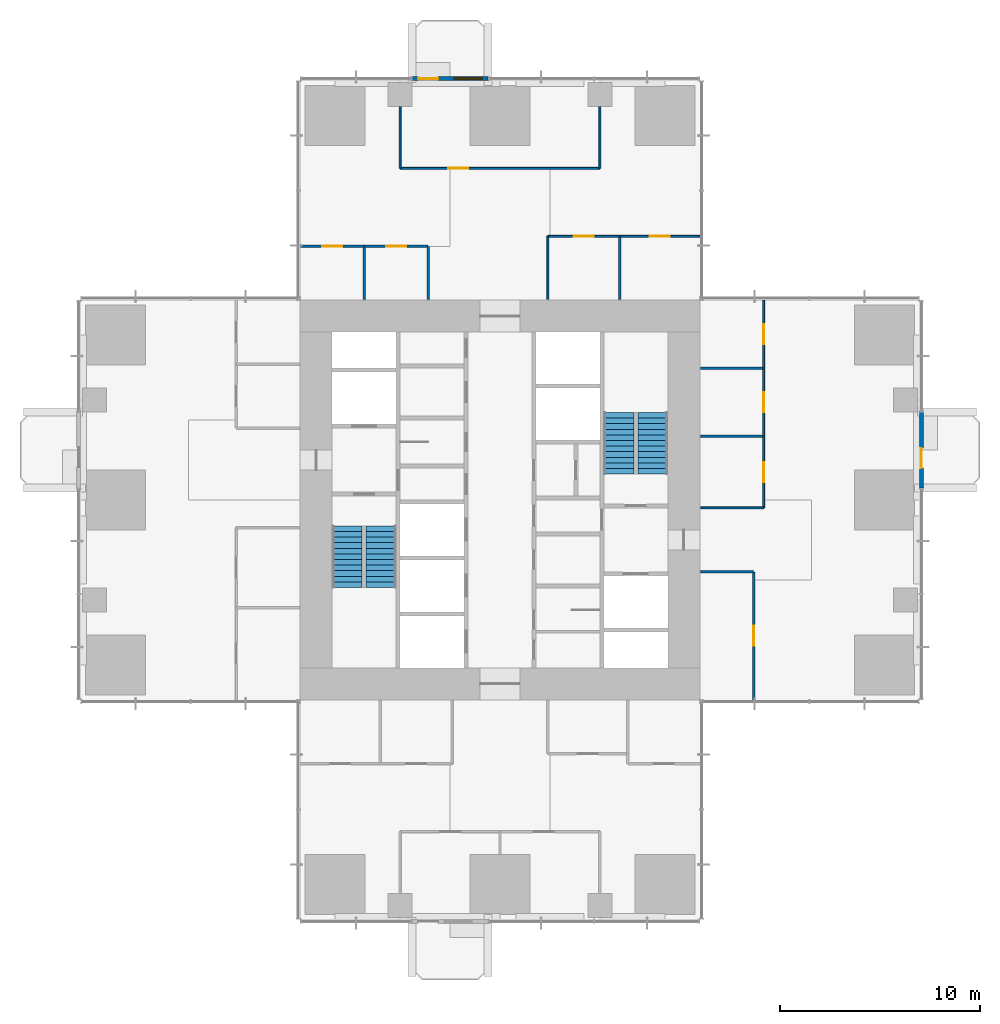
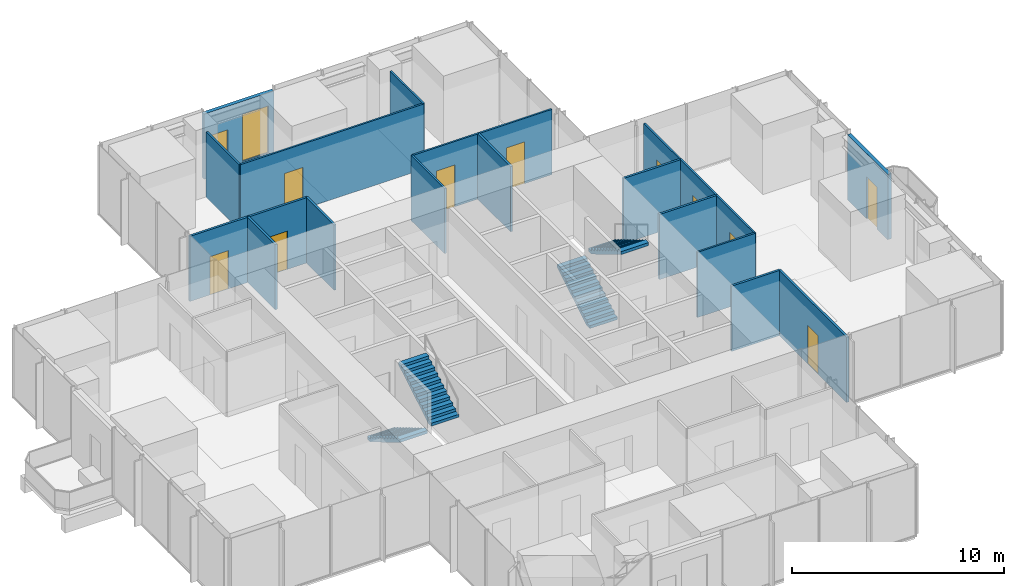
# One storey, part 10 of 13: 21 walls, 11 doors, 4 stair flights, 1 window, 12 openings, 2 elements without a shape of their own.
"""IFC4 building model written with IfcOpenShell, lengths in metres."""

import ifcopenshell
import ifcopenshell.guid

model = None  # the IFC model being written
_history = None  # IfcOwnerHistory: only IFC2X3 demands one
_inside = {}  # id of a spatial element -> (the spatial element, [elements in it])
_under = {}  # id of a project, library or spatial element -> (it, [spatial elements below it])
_declared = {}  # id of a project -> (the project, [libraries it declares])
_typed = {}  # id of a type object -> (the type object, [elements of that type])
_made_of = {}  # id of a material, layer set ... -> (it, [elements and type objects made of it])


def new_model(schema):
    """Start an empty IFC model of exactly this schema.

    Asked for "IFC4X3", IfcOpenShell would pick the latest addendum, in which some entities
    have other attributes; the version numbers below select the first issue.
    IFC2X3 requires an IfcOwnerHistory on every rooted entity: one is made here for all.
    """
    global model, _history
    if schema == "IFC4X3":
        model = ifcopenshell.file(schema_version=(4, 3, 0, 0))
    else:
        model = ifcopenshell.file(schema=schema)
    _inside.clear()
    _under.clear()
    _declared.clear()
    _typed.clear()
    _made_of.clear()
    _history = None
    if model.schema == "IFC2X3":
        org = make("IfcOrganization", Name="unknown")
        user = make(
            "IfcPersonAndOrganization",
            ThePerson=make("IfcPerson", FamilyName="unknown"),
            TheOrganization=org,
        )
        app = make(
            "IfcApplication",
            ApplicationDeveloper=org,
            Version="unknown",
            ApplicationFullName="unknown",
            ApplicationIdentifier="unknown",
        )
        _history = make(
            "IfcOwnerHistory",
            OwningUser=user,
            OwningApplication=app,
            ChangeAction="ADDED",
            CreationDate=0,
        )
    return model


def make(cls, **values):
    """One entity of the class cls with the attributes given. An attribute that is None is left unset."""
    return model.create_entity(
        cls, **{name: value for name, value in values.items() if value is not None}
    )


def rooted(cls, **values):
    """An entity with a GlobalId (a new one), such as an element, a storey or a relation."""
    return make(cls, GlobalId=ifcopenshell.guid.new(), OwnerHistory=_history, **values)


def si_unit(unit_type, name, prefix=None):
    """IfcSIUnit, for example si_unit("LENGTHUNIT", "METRE", prefix="MILLI")."""
    return make("IfcSIUnit", UnitType=unit_type, Prefix=prefix, Name=name)


def assignment(units):
    """IfcUnitAssignment: the units of a project."""
    return None if units is None else make("IfcUnitAssignment", Units=units)


def point(xyz):
    """IfcCartesianPoint."""
    return None if xyz is None else make("IfcCartesianPoint", Coordinates=xyz)


def direction(xyz):
    """IfcDirection."""
    return None if xyz is None else make("IfcDirection", DirectionRatios=xyz)


def frame(location, z_axis=None, x_axis=None):
    """IfcAxis2Placement3D, a coordinate frame: its origin and axes. An axis left out is left unset."""
    return make(
        "IfcAxis2Placement3D",
        Location=point(location),
        Axis=direction(z_axis),
        RefDirection=direction(x_axis),
    )


def frame_2d(location, x_axis=None):
    """IfcAxis2Placement2D, a coordinate frame in the plane: its origin and x axis."""
    return make(
        "IfcAxis2Placement2D", Location=point(location), RefDirection=direction(x_axis)
    )


def origin():
    """The frame at (0, 0, 0) with its axes left unset."""
    return frame((0.0, 0.0, 0.0))


def place(relative_to, where):
    """IfcLocalPlacement: puts the frame where relative to a parent placement (None: the world)."""
    return make(
        "IfcLocalPlacement", PlacementRelTo=relative_to, RelativePlacement=where
    )


def context(
    kind, dimensions, precision=None, world=None, true_north=None, identifier=None
):
    """IfcGeometricRepresentationContext, for example the 3D "Model" context."""
    return make(
        "IfcGeometricRepresentationContext",
        ContextIdentifier=identifier,
        ContextType=kind,
        CoordinateSpaceDimension=dimensions,
        Precision=precision,
        WorldCoordinateSystem=world,
        TrueNorth=true_north,
    )


def subcontext(parent, identifier, kind, view, scale=None):
    """IfcGeometricRepresentationSubContext, for example "Body" below "Model"."""
    return make(
        "IfcGeometricRepresentationSubContext",
        ContextIdentifier=identifier,
        ContextType=kind,
        ParentContext=parent,
        TargetScale=scale,
        TargetView=view,
    )


def project(units=None, contexts=None):
    """IfcProject with its units and contexts."""
    return rooted(
        "IfcProject",
        Name="project",
        RepresentationContexts=contexts,
        UnitsInContext=assignment(units),
    )


def spatial(cls, under=None, at=None, **own):
    """A site, building, storey or space (cls), placed at a placement, below another one or the project."""
    s = rooted(cls, ObjectPlacement=at, **own)
    if under is not None:
        _under.setdefault(under.id(), (under, []))[1].append(s)
    return s


def polyline(points):
    """IfcPolyline through the points."""
    return make("IfcPolyline", Points=[point(p) for p in points])


def profile(cls, at=None, kind="AREA", **sizes):
    """A parametric profile (cls). Its sizes go by their IFC names, for example OverallWidth=200.0."""
    return make(cls, ProfileType=kind, Position=at, **sizes)


def rectangle(**sizes):
    """IfcRectangleProfileDef."""
    return profile("IfcRectangleProfileDef", **sizes)


def outline(outer, holes=None, kind="AREA"):
    """IfcArbitraryClosedProfileDef: a profile drawn as a closed curve; with holes, ...WithVoids."""
    if holes is None:
        return make("IfcArbitraryClosedProfileDef", ProfileType=kind, OuterCurve=outer)
    return make(
        "IfcArbitraryProfileDefWithVoids",
        ProfileType=kind,
        OuterCurve=outer,
        InnerCurves=holes,
    )


def extrude(swept, where, along, depth):
    """IfcExtrudedAreaSolid: the profile swept, set in the frame where, extruded along a direction by depth."""
    return make(
        "IfcExtrudedAreaSolid",
        SweptArea=swept,
        Position=where,
        ExtrudedDirection=direction(along),
        Depth=depth,
    )


def shape(context_of_items, identifier, shape_type, items):
    """IfcShapeRepresentation: the items that make up one representation, for example the "Body"."""
    return make(
        "IfcShapeRepresentation",
        ContextOfItems=context_of_items,
        RepresentationIdentifier=identifier,
        RepresentationType=shape_type,
        Items=items,
    )


def material(Name=None, Category=None):
    """IfcMaterial."""
    return make("IfcMaterial", Name=Name, Category=Category)


def layer(
    of_material, thickness, ventilated=None, Name=None, Category=None, Priority=None
):
    """IfcMaterialLayer: one layer of a wall or slab, of a material (None: an air gap)."""
    return make(
        "IfcMaterialLayer",
        Material=of_material,
        LayerThickness=thickness,
        IsVentilated=ventilated,
        Name=Name,
        Category=Category,
        Priority=Priority,
    )


def layer_set(layers, Name=None):
    """IfcMaterialLayerSet."""
    return make("IfcMaterialLayerSet", MaterialLayers=layers, LayerSetName=Name)


def made_of(thing, what):
    """Note that an element or type object is made of a material, layer set ...; save() writes the relation."""
    if what is not None:
        _made_of.setdefault(what.id(), (what, []))[1].append(thing)
    return thing


def type_object(cls, material=None, **own):
    """A type object (cls), such as IfcWallType, which elements share."""
    return made_of(rooted(cls, **own), material)


def element(
    cls,
    number,
    at=None,
    inside=None,
    cuts=None,
    type_object=None,
    material=None,
    context=None,
    identifier="Body",
    shape_type=None,
    held_by="IfcProductDefinitionShape",
    body=None,
    shapes=None,
    **own,
):
    """One element of the class cls, such as IfcWall. Its Tag is "e" and its number.

    at: its placement. inside: the storey or other place that contains it. cuts: it is an
    opening in that element (IfcRelVoidsElement). A single representation is given by context,
    identifier, shape_type and body (its items); several are given by shapes. held_by: the class
    of the entity that holds the representations. save() writes the other relations.
    """
    e = rooted(cls, Tag="e%d" % number, ObjectPlacement=at, **own)
    if body is not None:
        shapes = [shape(context, identifier, shape_type, body)]
    if shapes is not None:
        e.Representation = make(held_by, Representations=shapes)
    if inside is not None:
        _inside.setdefault(inside.id(), (inside, []))[1].append(e)
    if cuts is not None:
        rooted(
            "IfcRelVoidsElement", RelatingBuildingElement=cuts, RelatedOpeningElement=e
        )
    if type_object is not None:
        _typed.setdefault(type_object.id(), (type_object, []))[1].append(e)
    return made_of(e, material)


def fill(opening, filler):
    """IfcRelFillsElement: the door or window that sits in an opening."""
    return rooted(
        "IfcRelFillsElement",
        RelatingOpeningElement=opening,
        RelatedBuildingElement=filler,
    )


def aggregate(whole, parts):
    """IfcRelAggregates: a whole, such as a stair, and the parts it consists of."""
    return rooted("IfcRelAggregates", RelatingObject=whole, RelatedObjects=parts)


def save(model, path):
    """Write the relations noted so far, then the file.

    IfcRelAggregates (storeys below a building ...), IfcRelContainedInSpatialStructure (elements
    in a storey), IfcRelDefinesByType, IfcRelAssociatesMaterial and IfcRelDeclares: one each for
    every whole, place, type object, material and project.
    """
    for whole, parts in _under.values():
        aggregate(whole, parts)
    for where, things in _inside.values():
        rooted(
            "IfcRelContainedInSpatialStructure",
            RelatedElements=things,
            RelatingStructure=where,
        )
    for kind, things in _typed.values():
        rooted("IfcRelDefinesByType", RelatedObjects=things, RelatingType=kind)
    for what, things in _made_of.values():
        rooted("IfcRelAssociatesMaterial", RelatedObjects=things, RelatingMaterial=what)
    for by, libraries in _declared.values():
        rooted("IfcRelDeclares", RelatingContext=by, RelatedDefinitions=libraries)
    model.write(path)


model = new_model("IFC4")

# Units and contexts
model_context = context("Model", 3, precision=1e-05, world=origin(), true_north=direction((0.0, 1.0)))
body_context = subcontext(model_context, "Body", "Model", "MODEL_VIEW")
ifc_project = project(units=[si_unit("LENGTHUNIT", "METRE"), si_unit("AREAUNIT", "SQUARE_METRE"), si_unit("VOLUMEUNIT", "CUBIC_METRE"), si_unit("PLANEANGLEUNIT", "RADIAN"), si_unit("MASSUNIT", "GRAM", prefix="KILO")], contexts=[model_context])

# Site, building, storey
site_placement = place(None, origin())
site = spatial("IfcSite", under=ifc_project, at=site_placement, CompositionType="ELEMENT")
building_placement = place(site_placement, origin())
building = spatial("IfcBuilding", under=site, at=building_placement, Name="Svetlomir Tower", CompositionType="ELEMENT")
storey_placement = place(building_placement, frame((0.0, 0.0, 124.5)))
storey = spatial("IfcBuildingStorey", under=building, at=storey_placement, Name="L29", CompositionType="ELEMENT", Elevation=124.5)

# Wall, opening, door
ifc_material_1 = material(Name="Bronze anodised aluminium glazed screen", Category="aluminium")
ifc_layer_1 = layer(ifc_material_1, 0.199951171875)
ifc_layer_set_1 = layer_set([ifc_layer_1], Name="Bronze anodised aluminium glazed screen")
wall_type_1 = type_object("IfcWallType", Name="BALCONY SCREEN WALL 200", PredefinedType="USERDEFINED", material=ifc_layer_set_1)
wall_1_placement = place(storey_placement, frame((42.10009765625, 21.60009765625, 0.0), z_axis=(0.0, 0.0, 1.0), x_axis=(0.0, 1.0, 0.0)))
wall_1 = element("IfcWall", 1, at=wall_1_placement, inside=storey, type_object=wall_type_1, Name="Balcony screen E", ObjectType="GLAZED SCREEN", PredefinedType="USERDEFINED", context=body_context, shape_type="SweptSolid", body=[
    extrude(rectangle(XDim=3.7998046875, YDim=0.199951171875, at=frame_2d((1.89990234375, 0.0))), origin(), (0.0, 0.0, 1.0), 3.75),
])
opening_1_placement = place(wall_1_placement, frame((1.0, 0.0, 0.0)))
opening_1 = element("IfcOpeningElement", 2, at=opening_1_placement, cuts=wall_1, Name="Opening BD", PredefinedType="OPENING", context=body_context, shape_type="SweptSolid", body=[
    extrude(rectangle(XDim=1.0, YDim=2.39990234375, at=frame_2d((0.5, 1.199951171875))), frame((0.0, 0.10986328125, 0.0), z_axis=(0.0, -1.0, 0.0), x_axis=(1.0, 0.0, 0.0)), (0.0, 0.0, 1.0), 0.219970703125),
])
ifc_material_2 = material(Name="Bronze anodised aluminium glazed door", Category="aluminium")
door_type_1 = type_object("IfcDoorType", Name="BALCONY DOOR BD 1000x2400", OperationType="SINGLE_SWING_LEFT", PredefinedType="DOOR", material=ifc_material_2)
door_1_placement = place(opening_1_placement, origin())
door_1 = element("IfcDoor", 3, at=door_1_placement, inside=storey, type_object=door_type_1, Name="Balcony screen E door", OperationType="SINGLE_SWING_LEFT", OverallHeight=2.39990234375, OverallWidth=1.0, PredefinedType="DOOR", context=body_context, shape_type="SweptSolid", body=[
    extrude(rectangle(XDim=1.0, YDim=2.39990234375, at=frame_2d((0.5, 1.199951171875))), frame((0.0, 0.02490234375, 0.0), z_axis=(0.0, -1.0, 0.0), x_axis=(1.0, 0.0, 0.0)), (0.0, 0.0, 1.0), 0.050048828125),
])
fill(opening_1, door_1)

# Wall, openings, door, window
wall_2_placement = place(storey_placement, frame((20.39990234375, 42.10009765625, 0.0), z_axis=(0.0, 0.0, 1.0), x_axis=(-1.0, 0.0, 0.0)))
wall_2 = element("IfcWall", 4, at=wall_2_placement, inside=storey, type_object=wall_type_1, Name="Balcony screen N", ObjectType="GLAZED SCREEN", PredefinedType="USERDEFINED", context=body_context, shape_type="SweptSolid", body=[
    extrude(rectangle(XDim=3.7998046875, YDim=0.199951171875, at=frame_2d((1.89990234375, 0.0))), origin(), (0.0, 0.0, 1.0), 3.75),
])
opening_2_placement = place(wall_2_placement, frame((2.5, 0.0, 0.0)))
opening_2 = element("IfcOpeningElement", 5, at=opening_2_placement, cuts=wall_2, Name="Opening BD", PredefinedType="OPENING", context=body_context, shape_type="SweptSolid", body=[
    extrude(rectangle(XDim=1.0, YDim=2.39990234375, at=frame_2d((0.5, 1.199951171875))), frame((0.0, 0.10986328125, 0.0), z_axis=(0.0, -1.0, 0.0), x_axis=(1.0, 0.0, 0.0)), (0.0, 0.0, 1.0), 0.219970703125),
])
opening_3_placement = place(wall_2_placement, frame((0.300048828125, 0.0, 0.300048828125)))
opening_3 = element("IfcOpeningElement", 6, at=opening_3_placement, cuts=wall_2, Name="Opening WS2", PredefinedType="OPENING", context=body_context, shape_type="SweptSolid", body=[
    extrude(rectangle(XDim=1.39990234375, YDim=2.699951171875, at=frame_2d((0.699951171875, 1.35009765625))), frame((0.0, 0.10986328125, 0.0), z_axis=(0.0, -1.0, 0.0), x_axis=(1.0, 0.0, 0.0)), (0.0, 0.0, 1.0), 0.219970703125),
])
door_2_placement = place(opening_2_placement, origin())
door_2 = element("IfcDoor", 7, at=door_2_placement, inside=storey, type_object=door_type_1, Name="Balcony screen N door", OperationType="SINGLE_SWING_LEFT", OverallHeight=2.39990234375, OverallWidth=1.0, PredefinedType="DOOR", context=body_context, shape_type="SweptSolid", body=[
    extrude(rectangle(XDim=1.0, YDim=2.39990234375, at=frame_2d((0.5, 1.199951171875))), frame((0.0, 0.02490234375, 0.0), z_axis=(0.0, -1.0, 0.0), x_axis=(1.0, 0.0, 0.0)), (0.0, 0.0, 1.0), 0.050048828125),
])
fill(opening_2, door_2)
ifc_material_3 = material(Name="Bronze anodised aluminium window", Category="aluminium")
window_type = type_object("IfcWindowType", Name="SCREEN WINDOW WS2 1400x2700", PartitioningType="SINGLE_PANEL", PredefinedType="WINDOW", material=ifc_material_3)
window_placement = place(opening_3_placement, origin())
window = element("IfcWindow", 8, at=window_placement, inside=storey, type_object=window_type, Name="Balcony screen N window 1", OverallHeight=2.699951171875, OverallWidth=1.39990234375, PartitioningType="SINGLE_PANEL", PredefinedType="WINDOW", context=body_context, shape_type="SweptSolid", body=[
    extrude(rectangle(XDim=1.39990234375, YDim=2.699951171875, at=frame_2d((0.699951171875, 1.35009765625))), frame((0.0, 0.030029296875, 0.0), z_axis=(0.0, -1.0, 0.0), x_axis=(1.0, 0.0, 0.0)), (0.0, 0.0, 1.0), 0.06005859375),
])
fill(opening_3, window)

# Wall
ifc_material_4 = material(Name="Framed laminated glass partition", Category="glass")
ifc_layer_2 = layer(ifc_material_4, 0.10009765625)
ifc_layer_set_2 = layer_set([ifc_layer_2], Name="Framed laminated glass partition")
wall_type_2 = type_object("IfcWallType", Name="GLAZED PARTITION 100", PredefinedType="PARTITIONING", material=ifc_layer_set_2)
wall_3_placement = place(storey_placement, frame((16.0, 37.60009765625, 0.0), z_axis=(0.0, 0.0, 1.0), x_axis=(0.0, 1.0, 0.0)))
element("IfcWall", 9, at=wall_3_placement, inside=storey, type_object=wall_type_2, Name="Glazed partition L29", PredefinedType="PARTITIONING", context=body_context, shape_type="SweptSolid", body=[
    extrude(rectangle(XDim=3.08984375, YDim=0.10009765625, at=frame_2d((1.544921875, 0.0))), origin(), (0.0, 0.0, 1.0), 3.75),
])

# Wall, opening, door
wall_4_placement = place(storey_placement, frame((16.0, 37.60009765625, 0.0), z_axis=(0.0, 0.0, 1.0), x_axis=(1.0, 0.0, 0.0)))
wall_4 = element("IfcWall", 10, at=wall_4_placement, inside=storey, type_object=wall_type_2, Name="Glazed partition L29", PredefinedType="PARTITIONING", context=body_context, shape_type="SweptSolid", body=[
    extrude(rectangle(XDim=10.0, YDim=0.10009765625, at=frame_2d((5.0, 0.0))), origin(), (0.0, 0.0, 1.0), 3.75),
])
opening_4_placement = place(wall_4_placement, frame((2.39990234375, 0.0, 0.0)))
opening_4 = element("IfcOpeningElement", 11, at=opening_4_placement, cuts=wall_4, Name="Opening DG", PredefinedType="OPENING", context=body_context, shape_type="SweptSolid", body=[
    extrude(rectangle(XDim=1.0, YDim=2.39990234375, at=frame_2d((0.5, 1.199951171875))), frame((0.0, 0.06005859375, 0.0), z_axis=(0.0, -1.0, 0.0), x_axis=(1.0, 0.0, 0.0)), (0.0, 0.0, 1.0), 0.1201171875),
])
ifc_material_5 = material(Name="Framed laminated glass door", Category="glass")
door_type_2 = type_object("IfcDoorType", Name="GLAZED DOOR DG 1000x2400", OperationType="SINGLE_SWING_LEFT", PredefinedType="DOOR", material=ifc_material_5)
door_3_placement = place(opening_4_placement, origin())
door_3 = element("IfcDoor", 12, at=door_3_placement, inside=storey, type_object=door_type_2, Name="Engineering review room, 12 seats door L29", OperationType="SINGLE_SWING_RIGHT", OverallHeight=2.39990234375, OverallWidth=1.0, PredefinedType="DOOR", context=body_context, shape_type="SweptSolid", body=[
    extrude(rectangle(XDim=1.0, YDim=2.39990234375, at=frame_2d((0.5, 1.199951171875))), frame((0.0, 0.02490234375, 0.0), z_axis=(0.0, -1.0, 0.0), x_axis=(1.0, 0.0, 0.0)), (0.0, 0.0, 1.0), 0.050048828125),
])
fill(opening_4, door_3)

# Wall
wall_5_placement = place(storey_placement, frame((23.39990234375, 31.050048828125, 0.0), z_axis=(0.0, 0.0, 1.0), x_axis=(0.0, 1.0, 0.0)))
element("IfcWall", 13, at=wall_5_placement, inside=storey, type_object=wall_type_2, Name="Glazed partition L29", PredefinedType="PARTITIONING", context=body_context, shape_type="SweptSolid", body=[
    extrude(rectangle(XDim=3.14990234375, YDim=0.10009765625, at=frame_2d((1.574951171875, 0.0))), origin(), (0.0, 0.0, 1.0), 3.75),
])

# Wall, opening, door
wall_6_placement = place(storey_placement, frame((23.39990234375, 34.199951171875, 0.0), z_axis=(0.0, 0.0, 1.0), x_axis=(1.0, 0.0, 0.0)))
wall_6 = element("IfcWall", 14, at=wall_6_placement, inside=storey, type_object=wall_type_2, Name="Glazed partition L29", PredefinedType="PARTITIONING", context=body_context, shape_type="SweptSolid", body=[
    extrude(rectangle(XDim=3.60009765625, YDim=0.10009765625, at=frame_2d((1.800048828125, 0.0))), origin(), (0.0, 0.0, 1.0), 3.75),
])
opening_5_placement = place(wall_6_placement, frame((1.300048828125, 0.0, 0.0)))
opening_5 = element("IfcOpeningElement", 15, at=opening_5_placement, cuts=wall_6, Name="Opening DG", PredefinedType="OPENING", context=body_context, shape_type="SweptSolid", body=[
    extrude(rectangle(XDim=1.0, YDim=2.39990234375, at=frame_2d((0.5, 1.199951171875))), frame((0.0, 0.06005859375, 0.0), z_axis=(0.0, -1.0, 0.0), x_axis=(1.0, 0.0, 0.0)), (0.0, 0.0, 1.0), 0.1201171875),
])
door_4_placement = place(opening_5_placement, origin())
door_4 = element("IfcDoor", 16, at=door_4_placement, inside=storey, type_object=door_type_2, Name="Focus room 3 door L29", OperationType="SINGLE_SWING_LEFT", OverallHeight=2.39990234375, OverallWidth=1.0, PredefinedType="DOOR", context=body_context, shape_type="SweptSolid", body=[
    extrude(rectangle(XDim=1.0, YDim=2.39990234375, at=frame_2d((0.5, 1.199951171875))), frame((0.0, 0.02490234375, 0.0), z_axis=(0.0, -1.0, 0.0), x_axis=(1.0, 0.0, 0.0)), (0.0, 0.0, 1.0), 0.050048828125),
])
fill(opening_5, door_4)

# Wall
wall_7_placement = place(storey_placement, frame((26.0, 37.60009765625, 0.0), z_axis=(0.0, 0.0, 1.0), x_axis=(0.0, 1.0, 0.0)))
element("IfcWall", 17, at=wall_7_placement, inside=storey, type_object=wall_type_2, Name="Glazed partition L29", PredefinedType="PARTITIONING", context=body_context, shape_type="SweptSolid", body=[
    extrude(rectangle(XDim=3.08984375, YDim=0.10009765625, at=frame_2d((1.544921875, 0.0))), origin(), (0.0, 0.0, 1.0), 3.75),
])

# Wall, opening, door
wall_8_placement = place(storey_placement, frame((27.0, 34.199951171875, 0.0), z_axis=(0.0, 0.0, 1.0), x_axis=(1.0, 0.0, 0.0)))
wall_8 = element("IfcWall", 18, at=wall_8_placement, inside=storey, type_object=wall_type_2, Name="Glazed partition L29", PredefinedType="PARTITIONING", context=body_context, shape_type="SweptSolid", body=[
    extrude(rectangle(XDim=4.0, YDim=0.10009765625, at=frame_2d((2.0, 0.0))), origin(), (0.0, 0.0, 1.0), 3.75),
])
opening_6_placement = place(wall_8_placement, frame((1.5, 0.0, 0.0)))
opening_6 = element("IfcOpeningElement", 19, at=opening_6_placement, cuts=wall_8, Name="Opening DG", PredefinedType="OPENING", context=body_context, shape_type="SweptSolid", body=[
    extrude(rectangle(XDim=1.0, YDim=2.39990234375, at=frame_2d((0.5, 1.199951171875))), frame((0.0, 0.06005859375, 0.0), z_axis=(0.0, -1.0, 0.0), x_axis=(1.0, 0.0, 0.0)), (0.0, 0.0, 1.0), 0.1201171875),
])
door_5_placement = place(opening_6_placement, origin())
door_5 = element("IfcDoor", 20, at=door_5_placement, inside=storey, type_object=door_type_2, Name="Meeting room, 10 seats door L29", OperationType="SINGLE_SWING_LEFT", OverallHeight=2.39990234375, OverallWidth=1.0, PredefinedType="DOOR", context=body_context, shape_type="SweptSolid", body=[
    extrude(rectangle(XDim=1.0, YDim=2.39990234375, at=frame_2d((0.5, 1.199951171875))), frame((0.0, 0.02490234375, 0.0), z_axis=(0.0, -1.0, 0.0), x_axis=(1.0, 0.0, 0.0)), (0.0, 0.0, 1.0), 0.050048828125),
])
fill(opening_6, door_5)

# Wall
wall_9_placement = place(storey_placement, frame((31.050048828125, 20.60009765625, 0.0), z_axis=(0.0, 0.0, 1.0), x_axis=(1.0, 0.0, 0.0)))
element("IfcWall", 21, at=wall_9_placement, inside=storey, type_object=wall_type_2, Name="Glazed partition L29", PredefinedType="PARTITIONING", context=body_context, shape_type="SweptSolid", body=[
    extrude(rectangle(XDim=3.14990234375, YDim=0.10009765625, at=frame_2d((1.574951171875, 0.0))), origin(), (0.0, 0.0, 1.0), 3.75),
])

# Wall, opening, door
wall_10_placement = place(storey_placement, frame((34.199951171875, 20.60009765625, 0.0), z_axis=(0.0, 0.0, 1.0), x_axis=(0.0, 1.0, 0.0)))
wall_10 = element("IfcWall", 22, at=wall_10_placement, inside=storey, type_object=wall_type_2, Name="Glazed partition L29", PredefinedType="PARTITIONING", context=body_context, shape_type="SweptSolid", body=[
    extrude(rectangle(XDim=3.599853515625, YDim=0.10009765625, at=frame_2d((1.7998046875, 0.0))), origin(), (0.0, 0.0, 1.0), 3.75),
])
opening_7_placement = place(wall_10_placement, frame((1.300048828125, 0.0, 0.0)))
opening_7 = element("IfcOpeningElement", 23, at=opening_7_placement, cuts=wall_10, Name="Opening DG", PredefinedType="OPENING", context=body_context, shape_type="SweptSolid", body=[
    extrude(rectangle(XDim=1.0, YDim=2.39990234375, at=frame_2d((0.5, 1.199951171875))), frame((0.0, 0.06005859375, 0.0), z_axis=(0.0, -1.0, 0.0), x_axis=(1.0, 0.0, 0.0)), (0.0, 0.0, 1.0), 0.1201171875),
])
door_6_placement = place(opening_7_placement, origin())
door_6 = element("IfcDoor", 24, at=door_6_placement, inside=storey, type_object=door_type_2, Name="Meeting room, 6 seats door L29", OperationType="SINGLE_SWING_RIGHT", OverallHeight=2.39990234375, OverallWidth=1.0, PredefinedType="DOOR", context=body_context, shape_type="SweptSolid", body=[
    extrude(rectangle(XDim=1.0, YDim=2.39990234375, at=frame_2d((0.5, 1.199951171875))), frame((0.0, 0.02490234375, 0.0), z_axis=(0.0, -1.0, 0.0), x_axis=(1.0, 0.0, 0.0)), (0.0, 0.0, 1.0), 0.050048828125),
])
fill(opening_7, door_6)

wall_11_placement = place(storey_placement, frame((34.199951171875, 24.199951171875, 0.0), z_axis=(0.0, 0.0, 1.0), x_axis=(0.0, 1.0, 0.0)))
wall_11 = element("IfcWall", 25, at=wall_11_placement, inside=storey, type_object=wall_type_2, Name="Glazed partition L29", PredefinedType="PARTITIONING", context=body_context, shape_type="SweptSolid", body=[
    extrude(rectangle(XDim=3.400146484375, YDim=0.10009765625, at=frame_2d((1.7001953125, 0.0))), origin(), (0.0, 0.0, 1.0), 3.75),
])
opening_8_placement = place(wall_11_placement, frame((1.199951171875, 0.0, 0.0)))
opening_8 = element("IfcOpeningElement", 26, at=opening_8_placement, cuts=wall_11, Name="Opening DG", PredefinedType="OPENING", context=body_context, shape_type="SweptSolid", body=[
    extrude(rectangle(XDim=1.0, YDim=2.39990234375, at=frame_2d((0.5, 1.199951171875))), frame((0.0, 0.06005859375, 0.0), z_axis=(0.0, -1.0, 0.0), x_axis=(1.0, 0.0, 0.0)), (0.0, 0.0, 1.0), 0.1201171875),
])
door_7_placement = place(opening_8_placement, origin())
door_7 = element("IfcDoor", 27, at=door_7_placement, inside=storey, type_object=door_type_2, Name="Focus room 1 door L29", OperationType="SINGLE_SWING_LEFT", OverallHeight=2.39990234375, OverallWidth=1.0, PredefinedType="DOOR", context=body_context, shape_type="SweptSolid", body=[
    extrude(rectangle(XDim=1.0, YDim=2.39990234375, at=frame_2d((0.5, 1.199951171875))), frame((0.0, 0.02490234375, 0.0), z_axis=(0.0, -1.0, 0.0), x_axis=(1.0, 0.0, 0.0)), (0.0, 0.0, 1.0), 0.050048828125),
])
fill(opening_8, door_7)

wall_12_placement = place(storey_placement, frame((34.199951171875, 27.60009765625, 0.0), z_axis=(0.0, 0.0, 1.0), x_axis=(0.0, 1.0, 0.0)))
wall_12 = element("IfcWall", 28, at=wall_12_placement, inside=storey, type_object=wall_type_2, Name="Glazed partition L29", PredefinedType="PARTITIONING", context=body_context, shape_type="SweptSolid", body=[
    extrude(rectangle(XDim=3.39990234375, YDim=0.10009765625, at=frame_2d((1.699951171875, 0.0))), origin(), (0.0, 0.0, 1.0), 3.75),
])
opening_9_placement = place(wall_12_placement, frame((1.199951171875, 0.0, 0.0)))
opening_9 = element("IfcOpeningElement", 29, at=opening_9_placement, cuts=wall_12, Name="Opening DG", PredefinedType="OPENING", context=body_context, shape_type="SweptSolid", body=[
    extrude(rectangle(XDim=1.0, YDim=2.39990234375, at=frame_2d((0.5, 1.199951171875))), frame((0.0, 0.06005859375, 0.0), z_axis=(0.0, -1.0, 0.0), x_axis=(1.0, 0.0, 0.0)), (0.0, 0.0, 1.0), 0.1201171875),
])
door_8_placement = place(opening_9_placement, origin())
door_8 = element("IfcDoor", 30, at=door_8_placement, inside=storey, type_object=door_type_2, Name="Focus room 2 door L29", OperationType="SINGLE_SWING_LEFT", OverallHeight=2.39990234375, OverallWidth=1.0, PredefinedType="DOOR", context=body_context, shape_type="SweptSolid", body=[
    extrude(rectangle(XDim=1.0, YDim=2.39990234375, at=frame_2d((0.5, 1.199951171875))), frame((0.0, 0.02490234375, 0.0), z_axis=(0.0, -1.0, 0.0), x_axis=(1.0, 0.0, 0.0)), (0.0, 0.0, 1.0), 0.050048828125),
])
fill(opening_9, door_8)

ifc_material_6 = material(Name="Gypsum board on steel studs", Category="steel")
ifc_layer_3 = layer(ifc_material_6, 0.1201171875)
ifc_layer_set_3 = layer_set([ifc_layer_3], Name="Gypsum board on steel studs")
wall_type_3 = type_object("IfcWallType", Name="PARTITION 120", PredefinedType="PARTITIONING", material=ifc_layer_set_3)
wall_13_placement = place(storey_placement, frame((11.0, 33.699951171875, 0.0), z_axis=(0.0, 0.0, 1.0), x_axis=(1.0, 0.0, 0.0)))
wall_13 = element("IfcWall", 31, at=wall_13_placement, inside=storey, type_object=wall_type_3, Name="Partition L29", PredefinedType="PARTITIONING", context=body_context, shape_type="SweptSolid", body=[
    extrude(rectangle(XDim=3.199951171875, YDim=0.1201171875, at=frame_2d((1.60009765625, 0.0))), origin(), (0.0, 0.0, 1.0), 3.75),
])
opening_10_placement = place(wall_13_placement, frame((1.10009765625, 0.0, 0.0)))
opening_10 = element("IfcOpeningElement", 32, at=opening_10_placement, cuts=wall_13, Name="Opening DR", PredefinedType="OPENING", context=body_context, shape_type="SweptSolid", body=[
    extrude(rectangle(XDim=1.0, YDim=2.199951171875, at=frame_2d((0.5, 1.10009765625))), frame((0.0, 0.070068359375, 0.0), z_axis=(0.0, -1.0, 0.0), x_axis=(1.0, 0.0, 0.0)), (0.0, 0.0, 1.0), 0.14013671875),
])
ifc_material_7 = material(Name="Timber door, glazed side light", Category="wood")
door_type_3 = type_object("IfcDoorType", Name="DOOR DR 1000x2200", OperationType="SINGLE_SWING_LEFT", PredefinedType="DOOR", material=ifc_material_7)
door_9_placement = place(opening_10_placement, origin())
door_9 = element("IfcDoor", 33, at=door_9_placement, inside=storey, type_object=door_type_3, Name="Print and copy room door L29", OperationType="SINGLE_SWING_RIGHT", OverallHeight=2.199951171875, OverallWidth=1.0, PredefinedType="DOOR", context=body_context, shape_type="SweptSolid", body=[
    extrude(rectangle(XDim=1.0, YDim=2.199951171875, at=frame_2d((0.5, 1.10009765625))), frame((0.0, 0.02490234375, 0.0), z_axis=(0.0, -1.0, 0.0), x_axis=(1.0, 0.0, 0.0)), (0.0, 0.0, 1.0), 0.050048828125),
])
fill(opening_10, door_9)

# Wall
wall_14_placement = place(storey_placement, frame((14.199951171875, 31.050048828125, 0.0), z_axis=(0.0, 0.0, 1.0), x_axis=(0.0, 1.0, 0.0)))
element("IfcWall", 34, at=wall_14_placement, inside=storey, type_object=wall_type_3, Name="Partition L29", PredefinedType="PARTITIONING", context=body_context, shape_type="SweptSolid", body=[
    extrude(rectangle(XDim=2.64990234375, YDim=0.1201171875, at=frame_2d((1.324951171875, 0.0))), origin(), (0.0, 0.0, 1.0), 3.75),
])

# Wall, opening, door
wall_15_placement = place(storey_placement, frame((14.199951171875, 33.699951171875, 0.0), z_axis=(0.0, 0.0, 1.0), x_axis=(1.0, 0.0, 0.0)))
wall_15 = element("IfcWall", 35, at=wall_15_placement, inside=storey, type_object=wall_type_3, Name="Partition L29", PredefinedType="PARTITIONING", context=body_context, shape_type="SweptSolid", body=[
    extrude(rectangle(XDim=3.199951171875, YDim=0.1201171875, at=frame_2d((1.60009765625, 0.0))), origin(), (0.0, 0.0, 1.0), 3.75),
])
opening_11_placement = place(wall_15_placement, frame((1.10009765625, 0.0, 0.0)))
opening_11 = element("IfcOpeningElement", 36, at=opening_11_placement, cuts=wall_15, Name="Opening DR", PredefinedType="OPENING", context=body_context, shape_type="SweptSolid", body=[
    extrude(rectangle(XDim=1.0, YDim=2.199951171875, at=frame_2d((0.5, 1.10009765625))), frame((0.0, 0.070068359375, 0.0), z_axis=(0.0, -1.0, 0.0), x_axis=(1.0, 0.0, 0.0)), (0.0, 0.0, 1.0), 0.14013671875),
])
door_10_placement = place(opening_11_placement, origin())
door_10 = element("IfcDoor", 37, at=door_10_placement, inside=storey, type_object=door_type_3, Name="Store 2 door L29", OperationType="SINGLE_SWING_RIGHT", OverallHeight=2.199951171875, OverallWidth=1.0, PredefinedType="DOOR", context=body_context, shape_type="SweptSolid", body=[
    extrude(rectangle(XDim=1.0, YDim=2.199951171875, at=frame_2d((0.5, 1.10009765625))), frame((0.0, 0.02490234375, 0.0), z_axis=(0.0, -1.0, 0.0), x_axis=(1.0, 0.0, 0.0)), (0.0, 0.0, 1.0), 0.050048828125),
])
fill(opening_11, door_10)

# Walls
wall_16_placement = place(storey_placement, frame((17.39990234375, 31.050048828125, 0.0), z_axis=(0.0, 0.0, 1.0), x_axis=(0.0, 1.0, 0.0)))
element("IfcWall", 38, at=wall_16_placement, inside=storey, type_object=wall_type_3, Name="Partition L29", PredefinedType="PARTITIONING", context=body_context, shape_type="SweptSolid", body=[
    extrude(rectangle(XDim=2.64990234375, YDim=0.1201171875, at=frame_2d((1.324951171875, 0.0))), origin(), (0.0, 0.0, 1.0), 3.75),
])
wall_17_placement = place(storey_placement, frame((27.0, 31.050048828125, 0.0), z_axis=(0.0, 0.0, 1.0), x_axis=(0.0, 1.0, 0.0)))
element("IfcWall", 39, at=wall_17_placement, inside=storey, type_object=wall_type_3, Name="Partition L29", PredefinedType="PARTITIONING", context=body_context, shape_type="SweptSolid", body=[
    extrude(rectangle(XDim=3.14990234375, YDim=0.1201171875, at=frame_2d((1.574951171875, 0.0))), origin(), (0.0, 0.0, 1.0), 3.75),
])
wall_18_placement = place(storey_placement, frame((31.050048828125, 17.39990234375, 0.0), z_axis=(0.0, 0.0, 1.0), x_axis=(1.0, 0.0, 0.0)))
element("IfcWall", 40, at=wall_18_placement, inside=storey, type_object=wall_type_3, Name="Partition L29", PredefinedType="PARTITIONING", context=body_context, shape_type="SweptSolid", body=[
    extrude(rectangle(XDim=2.64990234375, YDim=0.1201171875, at=frame_2d((1.324951171875, 0.0))), origin(), (0.0, 0.0, 1.0), 3.75),
])
for number, where, z_axis, x_axis, name in (
    (41, (31.050048828125, 24.199951171875, 0.0), (0.0, 0.0, 1.0), (1.0, 0.0, 0.0), "Partition L29"),
    (42, (31.050048828125, 27.60009765625, 0.0), (0.0, 0.0, 1.0), (1.0, 0.0, 0.0), "Partition L29"),
):
    element("IfcWall", number, at=place(storey_placement, frame(where, z_axis=z_axis, x_axis=x_axis)), inside=storey, type_object=wall_type_3, Name=name, PredefinedType="PARTITIONING", context=body_context, shape_type="SweptSolid", body=[
        extrude(rectangle(XDim=3.14990234375, YDim=0.1201171875, at=frame_2d((1.574951171875, 0.0))), origin(), (0.0, 0.0, 1.0), 3.75),
    ])

# Wall, opening, door
wall_19_placement = place(storey_placement, frame((33.699951171875, 11.0, 0.0), z_axis=(0.0, 0.0, 1.0), x_axis=(0.0, 1.0, 0.0)))
wall_19 = element("IfcWall", 43, at=wall_19_placement, inside=storey, type_object=wall_type_3, Name="Partition L29", PredefinedType="PARTITIONING", context=body_context, shape_type="SweptSolid", body=[
    extrude(rectangle(XDim=6.39990234375, YDim=0.1201171875, at=frame_2d((3.199951171875, 0.0))), origin(), (0.0, 0.0, 1.0), 3.75),
])
opening_12_placement = place(wall_19_placement, frame((2.699951171875, 0.0, 0.0)))
opening_12 = element("IfcOpeningElement", 44, at=opening_12_placement, cuts=wall_19, Name="Opening DR", PredefinedType="OPENING", context=body_context, shape_type="SweptSolid", body=[
    extrude(rectangle(XDim=1.0, YDim=2.199951171875, at=frame_2d((0.5, 1.10009765625))), frame((0.0, 0.070068359375, 0.0), z_axis=(0.0, -1.0, 0.0), x_axis=(1.0, 0.0, 0.0)), (0.0, 0.0, 1.0), 0.14013671875),
])
door_11_placement = place(opening_12_placement, origin())
door_11 = element("IfcDoor", 45, at=door_11_placement, inside=storey, type_object=door_type_3, Name="Asset monitoring room door L29", OperationType="SINGLE_SWING_LEFT", OverallHeight=2.199951171875, OverallWidth=1.0, PredefinedType="DOOR", context=body_context, shape_type="SweptSolid", body=[
    extrude(rectangle(XDim=1.0, YDim=2.199951171875, at=frame_2d((0.5, 1.10009765625))), frame((0.0, 0.02490234375, 0.0), z_axis=(0.0, -1.0, 0.0), x_axis=(1.0, 0.0, 0.0)), (0.0, 0.0, 1.0), 0.050048828125),
])
fill(opening_12, door_11)

# Stair, stair flights
ifc_material_8 = material(Name="Concrete C60/75", Category="concrete")
stair_type = type_object("IfcStairType", Name="EXIT STAIR 3200 RISE 4000", PredefinedType="HALF_TURN_STAIR", material=ifc_material_8)
stair_1_placement = place(storey_placement, origin())
stair_1 = element("IfcStair", 46, at=stair_1_placement, inside=storey, type_object=stair_type, Name="Stair S1 L29 to L30", PredefinedType="HALF_TURN_STAIR")
ifc_material_9 = material(Name="Concrete C60/75", Category="concrete")
stair_flight_type = type_object("IfcStairFlightType", Name="STAIR FLIGHT 1500 OF 12 RISERS", PredefinedType="STRAIGHT", material=ifc_material_9)
stair_flight_1_placement = place(storey_placement, frame((13.35009765625, 19.699951171875, 0.0), z_axis=(0.0, 0.0, 1.0), x_axis=(0.0, -1.0, 0.0)))
stair_flight_1 = element("IfcStairFlight", 47, at=stair_flight_1_placement, type_object=stair_flight_type, Name="S1 flight 1", NumberOfRisers=12, NumberOfTreads=11, PredefinedType="STRAIGHT", RiserHeight=0.166666667, TreadLength=0.28, context=body_context, shape_type="SweptSolid", body=[
    extrude(outline(polyline([(0.0, 0.0), (0.0, 0.166748046875), (0.280029296875, 0.166748046875), (0.280029296875, 0.333251953125), (0.56005859375, 0.333251953125), (0.56005859375, 0.5), (0.840087890625, 0.5), (0.840087890625, 0.666748046875), (1.1201171875, 0.666748046875), (1.1201171875, 0.833251953125), (1.39990234375, 0.833251953125), (1.39990234375, 1.0), (1.679931640625, 1.0), (1.679931640625, 1.166748046875), (1.9599609375, 1.166748046875), (1.9599609375, 1.333251953125), (2.239990234375, 1.333251953125), (2.239990234375, 1.5), (2.52001953125, 1.5), (2.52001953125, 1.666748046875), (2.800048828125, 1.666748046875), (2.800048828125, 1.833251953125), (3.080078125, 1.833251953125), (3.080078125, 2.0), (3.080078125, 1.658935546875), (0.29296875, 0.0), (0.0, 0.0)])), frame((0.0, 0.75, 0.0), z_axis=(0.0, -1.0, 0.0), x_axis=(1.0, 0.0, 0.0)), (0.0, 0.0, 1.0), 1.5),
])
stair_flight_2_placement = place(storey_placement, frame((15.050048828125, 16.6201171875, 2.0), z_axis=(0.0, 0.0, 1.0), x_axis=(0.0, 1.0, 0.0)))
stair_flight_2 = element("IfcStairFlight", 48, at=stair_flight_2_placement, type_object=stair_flight_type, Name="S1 flight 2", NumberOfRisers=12, NumberOfTreads=11, PredefinedType="STRAIGHT", RiserHeight=0.166666667, TreadLength=0.28, context=body_context, shape_type="SweptSolid", body=[
    extrude(outline(polyline([(0.0, 0.0), (0.0, 0.166748046875), (0.280029296875, 0.166748046875), (0.280029296875, 0.333251953125), (0.56005859375, 0.333251953125), (0.56005859375, 0.5), (0.840087890625, 0.5), (0.840087890625, 0.666748046875), (1.1201171875, 0.666748046875), (1.1201171875, 0.833251953125), (1.39990234375, 0.833251953125), (1.39990234375, 1.0), (1.679931640625, 1.0), (1.679931640625, 1.166748046875), (1.9599609375, 1.166748046875), (1.9599609375, 1.333251953125), (2.239990234375, 1.333251953125), (2.239990234375, 1.5), (2.52001953125, 1.5), (2.52001953125, 1.666748046875), (2.800048828125, 1.666748046875), (2.800048828125, 1.833251953125), (3.080078125, 1.833251953125), (3.080078125, 2.0), (3.080078125, 1.658935546875), (0.29296875, 0.0), (0.0, 0.0)])), frame((0.0, 0.75, 0.0), z_axis=(0.0, -1.0, 0.0), x_axis=(1.0, 0.0, 0.0)), (0.0, 0.0, 1.0), 1.5),
])
aggregate(stair_1, [stair_flight_1, stair_flight_2])

stair_2_placement = place(storey_placement, origin())
stair_2 = element("IfcStair", 49, at=stair_2_placement, inside=storey, type_object=stair_type, Name="Stair S2 L29 to L30", PredefinedType="HALF_TURN_STAIR")
stair_flight_3_placement = place(storey_placement, frame((26.949951171875, 22.300048828125, 0.0), z_axis=(0.0, 0.0, 1.0), x_axis=(0.0, 1.0, 0.0)))
stair_flight_3 = element("IfcStairFlight", 50, at=stair_flight_3_placement, type_object=stair_flight_type, Name="S2 flight 1", NumberOfRisers=12, NumberOfTreads=11, PredefinedType="STRAIGHT", RiserHeight=0.166666667, TreadLength=0.28, context=body_context, shape_type="SweptSolid", body=[
    extrude(outline(polyline([(0.0, 0.0), (0.0, 0.166748046875), (0.280029296875, 0.166748046875), (0.280029296875, 0.333251953125), (0.56005859375, 0.333251953125), (0.56005859375, 0.5), (0.840087890625, 0.5), (0.840087890625, 0.666748046875), (1.1201171875, 0.666748046875), (1.1201171875, 0.833251953125), (1.39990234375, 0.833251953125), (1.39990234375, 1.0), (1.679931640625, 1.0), (1.679931640625, 1.166748046875), (1.9599609375, 1.166748046875), (1.9599609375, 1.333251953125), (2.239990234375, 1.333251953125), (2.239990234375, 1.5), (2.52001953125, 1.5), (2.52001953125, 1.666748046875), (2.800048828125, 1.666748046875), (2.800048828125, 1.833251953125), (3.080078125, 1.833251953125), (3.080078125, 2.0), (3.080078125, 1.658935546875), (0.29296875, 0.0), (0.0, 0.0)])), frame((0.0, 0.75, 0.0), z_axis=(0.0, -1.0, 0.0), x_axis=(1.0, 0.0, 0.0)), (0.0, 0.0, 1.0), 1.5),
])
stair_flight_4_placement = place(storey_placement, frame((28.64990234375, 25.3798828125, 2.0), z_axis=(0.0, 0.0, 1.0), x_axis=(0.0, -1.0, 0.0)))
stair_flight_4 = element("IfcStairFlight", 51, at=stair_flight_4_placement, type_object=stair_flight_type, Name="S2 flight 2", NumberOfRisers=12, NumberOfTreads=11, PredefinedType="STRAIGHT", RiserHeight=0.166666667, TreadLength=0.28, context=body_context, shape_type="SweptSolid", body=[
    extrude(outline(polyline([(0.0, 0.0), (0.0, 0.166748046875), (0.280029296875, 0.166748046875), (0.280029296875, 0.333251953125), (0.56005859375, 0.333251953125), (0.56005859375, 0.5), (0.840087890625, 0.5), (0.840087890625, 0.666748046875), (1.1201171875, 0.666748046875), (1.1201171875, 0.833251953125), (1.39990234375, 0.833251953125), (1.39990234375, 1.0), (1.679931640625, 1.0), (1.679931640625, 1.166748046875), (1.9599609375, 1.166748046875), (1.9599609375, 1.333251953125), (2.239990234375, 1.333251953125), (2.239990234375, 1.5), (2.52001953125, 1.5), (2.52001953125, 1.666748046875), (2.800048828125, 1.666748046875), (2.800048828125, 1.833251953125), (3.080078125, 1.833251953125), (3.080078125, 2.0), (3.080078125, 1.658935546875), (0.29296875, 0.0), (0.0, 0.0)])), frame((0.0, 0.75, 0.0), z_axis=(0.0, -1.0, 0.0), x_axis=(1.0, 0.0, 0.0)), (0.0, 0.0, 1.0), 1.5),
])
aggregate(stair_2, [stair_flight_3, stair_flight_4])

save(model, "model.ifc")
